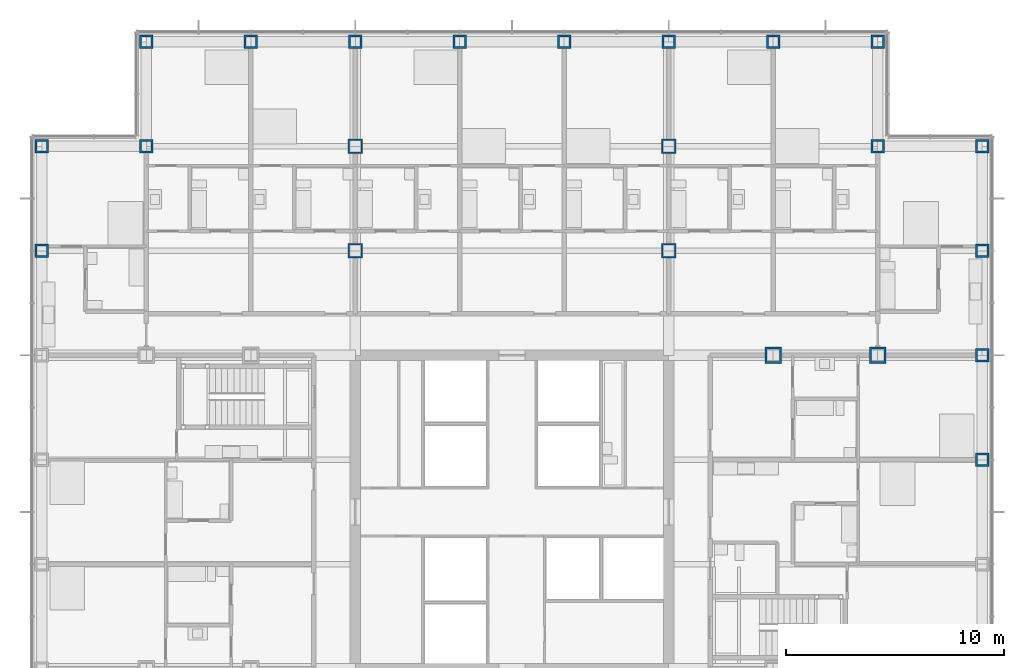
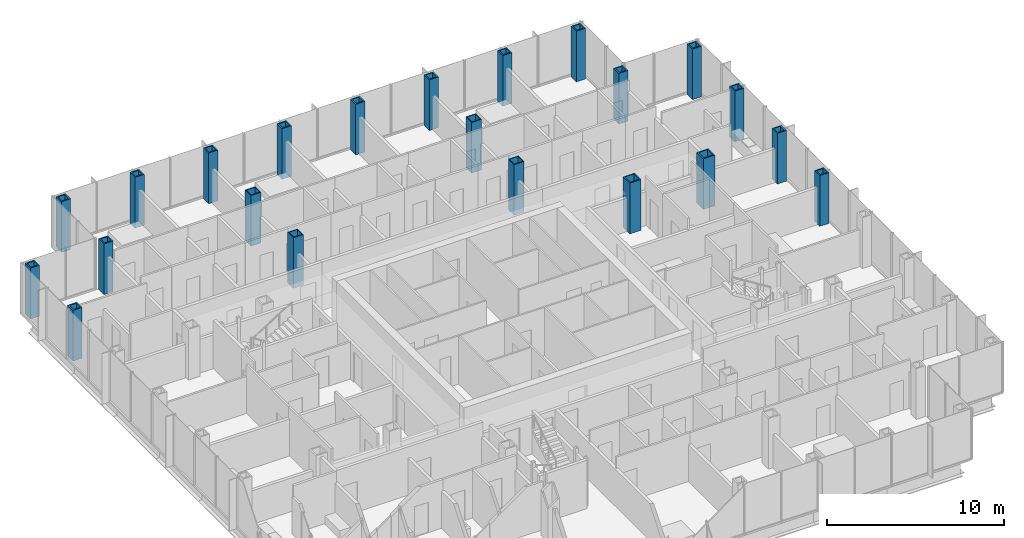
# One storey, part 5 of 22: 22 columns.
"""IFC4 building model written with IfcOpenShell, lengths in metres."""

from ifc_helpers import new_model, si_unit, direction, frame, origin, origin_2d, place, context, subcontext, project, spatial, hollow_rectangle, extrude, material, material_profile, profile_set, type_object, element, save


model = new_model("IFC4")

# Units and contexts
model_context = context("Model", 3, precision=1e-05, world=origin(), true_north=direction((0.0, 1.0)))
body_context = subcontext(model_context, "Body", "Model", "MODEL_VIEW")
ifc_project = project(units=[si_unit("LENGTHUNIT", "METRE"), si_unit("AREAUNIT", "SQUARE_METRE"), si_unit("VOLUMEUNIT", "CUBIC_METRE"), si_unit("PLANEANGLEUNIT", "RADIAN"), si_unit("MASSUNIT", "GRAM", prefix="KILO")], contexts=[model_context])

# Site, building, storey
site_placement = place(None, origin())
site = spatial("IfcSite", under=ifc_project, at=site_placement, CompositionType="ELEMENT")
building_placement = place(site_placement, origin())
building = spatial("IfcBuilding", under=site, at=building_placement, Name="Kvirike Care Tower", CompositionType="ELEMENT")
storey_placement = place(building_placement, frame((0.0, 0.0, 69.0)))
storey = spatial("IfcBuildingStorey", under=building, at=storey_placement, Name="L18", CompositionType="ELEMENT", Elevation=69.0)

# Columns
ifc_material_1 = material(Name="Steel S460", Category="steel")
ifc_material_profile_1 = material_profile(ifc_material_1, hollow_rectangle(XDim=0.60009765625, YDim=0.60009765625, WallThickness=0.080078125, at=origin_2d()), Name="BX 600x600x80")
ifc_profile_set_1 = profile_set([ifc_material_profile_1], Name="Steel S460")
column_type_1 = type_object("IfcColumnType", Name="COLUMN BX 600x600x80", PredefinedType="COLUMN", material=ifc_profile_set_1)
for number, where, z_axis, x_axis, name in (
    (1, (0.0, 48.0, 0.0), (0.0, 0.0, 1.0), (1.0, 0.0, 0.0), "Column L3 L18"),
    (2, (0.0, 52.800048828125, 0.0), (0.0, 0.0, 1.0), (0.0, 1.0, 0.0), "Column M3 L18"),
    (3, (4.800048828125, 52.800048828125, 0.0), (0.0, 0.0, 1.0), (0.0, 1.0, 0.0), "Column M4 L18"),
    (4, (4.800048828125, 57.60009765625, 0.0), (0.0, 0.0, 1.0), (0.0, 1.0, 0.0), "Column N4 L18"),
    (5, (9.60009765625, 57.60009765625, 0.0), (0.0, 0.0, 1.0), (0.0, 1.0, 0.0), "Column N5 L18"),
    (6, (14.39990234375, 57.60009765625, 0.0), (0.0, 0.0, 1.0), (0.0, 1.0, 0.0), "Column N6 L18"),
    (7, (19.199951171875, 57.60009765625, 0.0), (0.0, 0.0, 1.0), (0.0, 1.0, 0.0), "Column N7 L18"),
    (8, (24.0, 57.60009765625, 0.0), (0.0, 0.0, 1.0), (0.0, 1.0, 0.0), "Column N8 L18"),
    (9, (28.800048828125, 57.60009765625, 0.0), (0.0, 0.0, 1.0), (0.0, 1.0, 0.0), "Column N9 L18"),
    (10, (33.60009765625, 57.60009765625, 0.0), (0.0, 0.0, 1.0), (0.0, 1.0, 0.0), "Column N10 L18"),
    (11, (38.39990234375, 52.800048828125, 0.0), (0.0, 0.0, 1.0), (0.0, 1.0, 0.0), "Column M11 L18"),
    (12, (38.39990234375, 57.60009765625, 0.0), (0.0, 0.0, 1.0), (0.0, 1.0, 0.0), "Column N11 L18"),
    (13, (43.199951171875, 38.39990234375, 0.0), (0.0, 0.0, 1.0), (1.0, 0.0, 0.0), "Column J12 L18"),
    (14, (43.199951171875, 43.199951171875, 0.0), (0.0, 0.0, 1.0), (0.0, 1.0, 0.0), "Column K12 L18"),
    (15, (43.199951171875, 48.0, 0.0), (0.0, 0.0, 1.0), (1.0, 0.0, 0.0), "Column L12 L18"),
    (16, (43.199951171875, 52.800048828125, 0.0), (0.0, 0.0, 1.0), (0.0, 1.0, 0.0), "Column M12 L18"),
):
    element("IfcColumn", number, at=place(storey_placement, frame(where, z_axis=z_axis, x_axis=x_axis)), inside=storey, type_object=column_type_1, Name=name, PredefinedType="COLUMN", context=body_context, shape_type="SweptSolid", body=[
        extrude(hollow_rectangle(XDim=0.60009765625, YDim=0.60009765625, WallThickness=0.080078125, at=origin_2d()), origin(), (0.0, 0.0, 1.0), 3.5),
    ])
ifc_material_2 = material(Name="Steel S460", Category="steel")
ifc_material_profile_2 = material_profile(ifc_material_2, hollow_rectangle(XDim=0.64990234375, YDim=0.64990234375, WallThickness=0.050048828125, at=origin_2d()), Name="BX 650x650x50")
ifc_profile_set_2 = profile_set([ifc_material_profile_2], Name="Steel S460")
column_type_2 = type_object("IfcColumnType", Name="COLUMN BX 650x650x50", PredefinedType="COLUMN", material=ifc_profile_set_2)
for number, where, z_axis, x_axis, name in (
    (17, (14.39990234375, 48.0, 0.0), (0.0, 0.0, 1.0), (1.0, 0.0, 0.0), "Column L6 L18"),
    (18, (14.39990234375, 52.800048828125, 0.0), (0.0, 0.0, 1.0), (1.0, 0.0, 0.0), "Column M6 L18"),
    (19, (28.800048828125, 48.0, 0.0), (0.0, 0.0, 1.0), (1.0, 0.0, 0.0), "Column L9 L18"),
    (20, (28.800048828125, 52.800048828125, 0.0), (0.0, 0.0, 1.0), (1.0, 0.0, 0.0), "Column M9 L18"),
):
    element("IfcColumn", number, at=place(storey_placement, frame(where, z_axis=z_axis, x_axis=x_axis)), inside=storey, type_object=column_type_2, Name=name, PredefinedType="COLUMN", context=body_context, shape_type="SweptSolid", body=[
        extrude(hollow_rectangle(XDim=0.64990234375, YDim=0.64990234375, WallThickness=0.050048828125, at=origin_2d()), origin(), (0.0, 0.0, 1.0), 3.5),
    ])
ifc_material_3 = material(Name="Steel S460", Category="steel")
ifc_material_profile_3 = material_profile(ifc_material_3, hollow_rectangle(XDim=0.75, YDim=0.75, WallThickness=0.080078125, at=origin_2d()), Name="BX 750x750x80")
ifc_profile_set_3 = profile_set([ifc_material_profile_3], Name="Steel S460")
column_type_3 = type_object("IfcColumnType", Name="COLUMN BX 750x750x80", PredefinedType="COLUMN", material=ifc_profile_set_3)
for number, where, z_axis, x_axis, name in (
    (21, (33.60009765625, 43.199951171875, 0.0), (0.0, 0.0, 1.0), (0.0, 1.0, 0.0), "Column K10 L18"),
    (22, (38.39990234375, 43.199951171875, 0.0), (0.0, 0.0, 1.0), (0.0, 1.0, 0.0), "Column K11 L18"),
):
    element("IfcColumn", number, at=place(storey_placement, frame(where, z_axis=z_axis, x_axis=x_axis)), inside=storey, type_object=column_type_3, Name=name, PredefinedType="COLUMN", context=body_context, shape_type="SweptSolid", body=[
        extrude(hollow_rectangle(XDim=0.75, YDim=0.75, WallThickness=0.080078125, at=origin_2d()), origin(), (0.0, 0.0, 1.0), 3.5),
    ])

save(model, "model.ifc")
